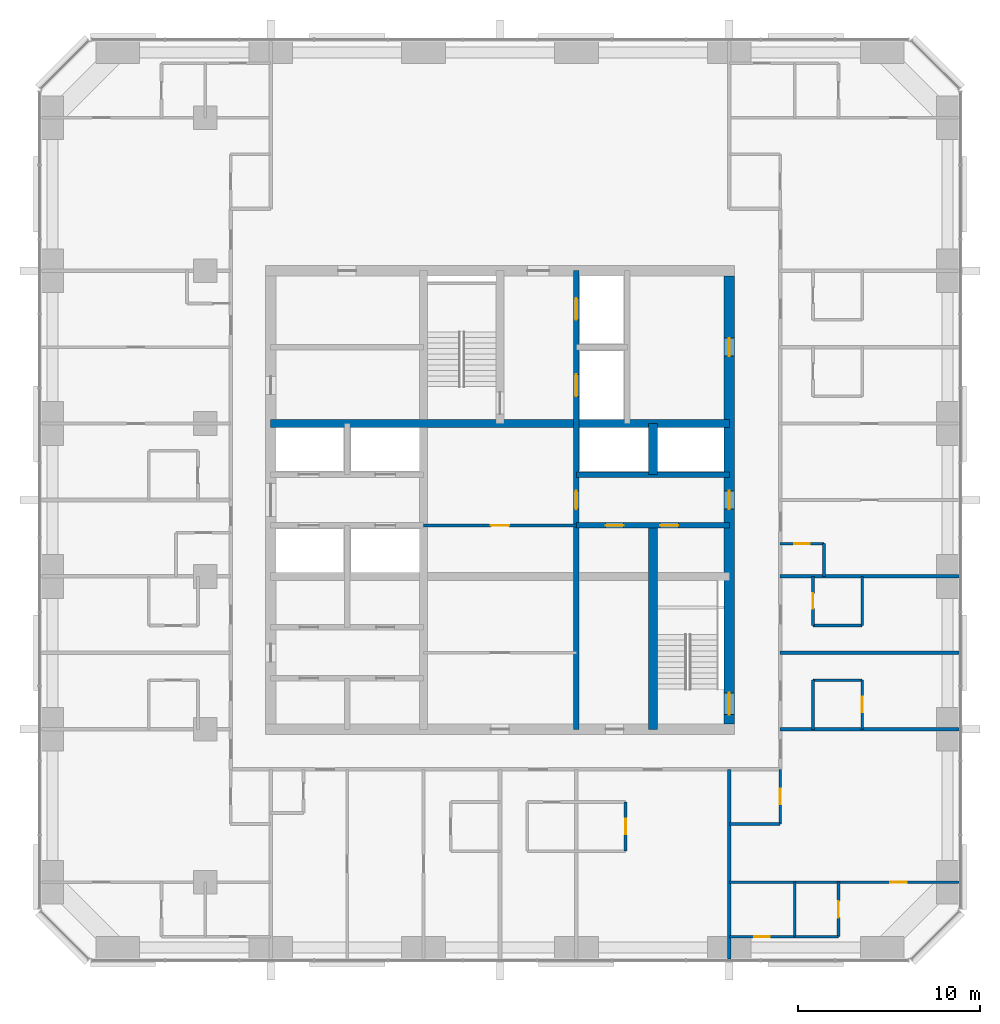
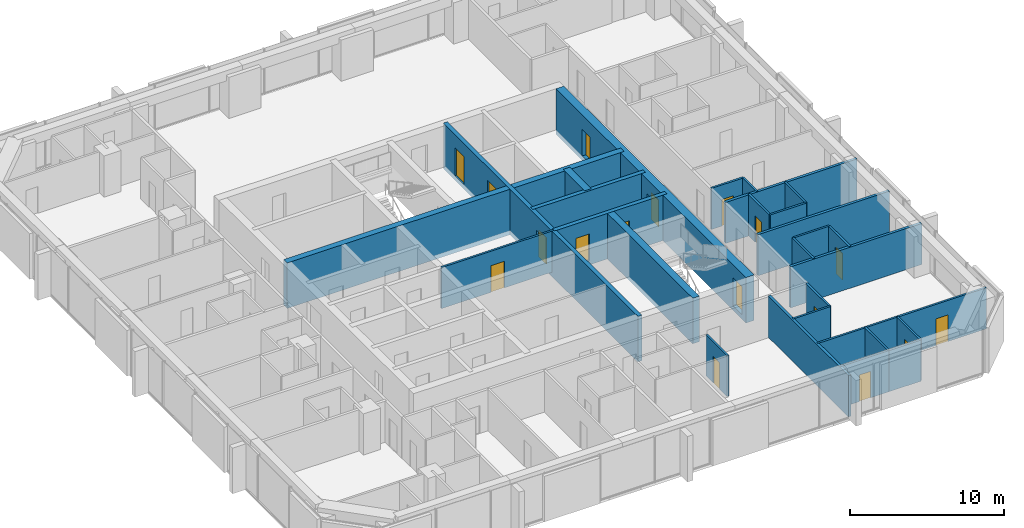
# One storey, part 10 of 13: 28 walls, 17 doors, 17 openings.
"""IFC4 building model written with IfcOpenShell, lengths in metres."""

from ifc_helpers import new_model, si_unit, direction, frame, frame_2d, origin, place, context, subcontext, project, spatial, rectangle, extrude, material, layer, layer_set, type_object, element, fill, save


model = new_model("IFC4")

# Units and contexts
model_context = context("Model", 3, precision=1e-05, world=origin(), true_north=direction((0.0, 1.0)))
body_context = subcontext(model_context, "Body", "Model", "MODEL_VIEW")
ifc_project = project(units=[si_unit("LENGTHUNIT", "METRE"), si_unit("AREAUNIT", "SQUARE_METRE"), si_unit("VOLUMEUNIT", "CUBIC_METRE"), si_unit("PLANEANGLEUNIT", "RADIAN"), si_unit("MASSUNIT", "GRAM", prefix="KILO")], contexts=[model_context])

# Site, building, storey
site_placement = place(None, origin())
site = spatial("IfcSite", under=ifc_project, at=site_placement, CompositionType="ELEMENT")
building_placement = place(site_placement, origin())
building = spatial("IfcBuilding", under=site, at=building_placement, Name="Dunama Terrace Hotel", CompositionType="ELEMENT")
storey_placement = place(building_placement, frame((0.0, 0.0, 209.39990234375)))
storey = spatial("IfcBuildingStorey", under=building, at=storey_placement, Name="L54", CompositionType="ELEMENT", Elevation=209.39990234375)

# Wall, opening, door
ifc_material_1 = material(Name="Gypsum board partition", Category="masonry")
ifc_layer_1 = layer(ifc_material_1, 0.14990234375)
ifc_layer_set_1 = layer_set([ifc_layer_1], Name="Bathroom partition 150")
wall_type_1 = type_object("IfcWallType", Name="Bathroom partition 150", PredefinedType="PARTITIONING", material=ifc_layer_set_1)
wall_1_placement = place(storey_placement, frame((36.300048828125, 10.10009765625, 0.0), z_axis=(0.0, 0.0, 1.0), x_axis=(0.0, 1.0, 0.0)))
wall_1 = element("IfcWall", 1, at=wall_1_placement, inside=storey, type_object=wall_type_1, Name="Bathroom partition 150 L54", PredefinedType="PARTITIONING", context=body_context, shape_type="SweptSolid", body=[
    extrude(rectangle(XDim=2.699951171875, YDim=0.14990234375, at=frame_2d((1.35009765625, 0.0))), origin(), (0.0, 0.0, 1.0), 3.25),
])
opening_1_placement = place(wall_1_placement, frame((0.925048828125, 0.0, 0.0)))
opening_1 = element("IfcOpeningElement", 2, at=opening_1_placement, cuts=wall_1, Name="Opening L53-54-017", PredefinedType="OPENING", context=body_context, shape_type="SweptSolid", body=[
    extrude(rectangle(XDim=0.85009765625, YDim=2.10009765625, at=frame_2d((0.425048828125, 1.050048828125))), frame((0.0, 0.0849609375, 0.0), z_axis=(0.0, -1.0, 0.0), x_axis=(1.0, 0.0, 0.0)), (0.0, 0.0, 1.0), 0.169921875),
])
ifc_material_2 = material(Name="Timber door with steel frame", Category="steel")
door_type_1 = type_object("IfcDoorType", Name="Bathroom door 850", OperationType="SINGLE_SWING_LEFT", PredefinedType="DOOR", material=ifc_material_2)
door_1_placement = place(opening_1_placement, origin())
door_1 = element("IfcDoor", 3, at=door_1_placement, inside=storey, type_object=door_type_1, Name="Door to en-suite bathroom L53-54-017, type D2", OperationType="SINGLE_SWING_LEFT", OverallHeight=2.10009765625, OverallWidth=0.85009765625, PredefinedType="DOOR", context=body_context, shape_type="SweptSolid", body=[
    extrude(rectangle(XDim=0.85009765625, YDim=2.10009765625, at=frame_2d((0.425048828125, 1.050048828125))), frame((0.0, 0.02490234375, 0.0), z_axis=(0.0, -1.0, 0.0), x_axis=(1.0, 0.0, 0.0)), (0.0, 0.0, 1.0), 0.050048828125),
])
fill(opening_1, door_1)

wall_2_placement = place(storey_placement, frame((44.800048828125, 11.60009765625, 0.0), z_axis=(0.0, 0.0, 1.0), x_axis=(0.0, 1.0, 0.0)))
wall_2 = element("IfcWall", 4, at=wall_2_placement, inside=storey, type_object=wall_type_1, Name="Bathroom partition 150 L54", PredefinedType="PARTITIONING", context=body_context, shape_type="SweptSolid", body=[
    extrude(rectangle(XDim=3.0, YDim=0.14990234375, at=frame_2d((1.5, 0.0))), origin(), (0.0, 0.0, 1.0), 3.25),
])
opening_2_placement = place(wall_2_placement, frame((1.074951171875, 0.0, 0.0)))
opening_2 = element("IfcOpeningElement", 5, at=opening_2_placement, cuts=wall_2, Name="Opening L53-54-046", PredefinedType="OPENING", context=body_context, shape_type="SweptSolid", body=[
    extrude(rectangle(XDim=0.85009765625, YDim=2.10009765625, at=frame_2d((0.425048828125, 1.050048828125))), frame((0.0, 0.0849609375, 0.0), z_axis=(0.0, -1.0, 0.0), x_axis=(1.0, 0.0, 0.0)), (0.0, 0.0, 1.0), 0.169921875),
])
door_2_placement = place(opening_2_placement, origin())
door_2 = element("IfcDoor", 6, at=door_2_placement, inside=storey, type_object=door_type_1, Name="Door to powder room L53-54-046, type D2", OperationType="SINGLE_SWING_RIGHT", OverallHeight=2.10009765625, OverallWidth=0.85009765625, PredefinedType="DOOR", context=body_context, shape_type="SweptSolid", body=[
    extrude(rectangle(XDim=0.85009765625, YDim=2.10009765625, at=frame_2d((0.425048828125, 1.050048828125))), frame((0.0, 0.02490234375, 0.0), z_axis=(0.0, -1.0, 0.0), x_axis=(1.0, 0.0, 0.0)), (0.0, 0.0, 1.0), 0.050048828125),
])
fill(opening_2, door_2)

# Wall
wall_3_placement = place(storey_placement, frame((46.60009765625, 16.800048828125, 0.0), z_axis=(0.0, 0.0, 1.0), x_axis=(0.0, 1.0, 0.0)))
element("IfcWall", 7, at=wall_3_placement, inside=storey, type_object=wall_type_1, Name="Bathroom partition 150 L54", PredefinedType="PARTITIONING", context=body_context, shape_type="SweptSolid", body=[
    extrude(rectangle(XDim=2.699951171875, YDim=0.14990234375, at=frame_2d((1.35009765625, 0.0))), origin(), (0.0, 0.0, 1.0), 3.25),
])

# Wall, opening, door
wall_4_placement = place(storey_placement, frame((46.60009765625, 22.5, 0.0), z_axis=(0.0, 0.0, 1.0), x_axis=(0.0, 1.0, 0.0)))
wall_4 = element("IfcWall", 8, at=wall_4_placement, inside=storey, type_object=wall_type_1, Name="Bathroom partition 150 L54", PredefinedType="PARTITIONING", context=body_context, shape_type="SweptSolid", body=[
    extrude(rectangle(XDim=2.699951171875, YDim=0.14990234375, at=frame_2d((1.35009765625, 0.0))), origin(), (0.0, 0.0, 1.0), 3.25),
])
opening_3_placement = place(wall_4_placement, frame((0.925048828125, 0.0, 0.0)))
opening_3 = element("IfcOpeningElement", 9, at=opening_3_placement, cuts=wall_4, Name="Opening L53-54-021", PredefinedType="OPENING", context=body_context, shape_type="SweptSolid", body=[
    extrude(rectangle(XDim=0.85009765625, YDim=2.10009765625, at=frame_2d((0.425048828125, 1.050048828125))), frame((0.0, 0.0849609375, 0.0), z_axis=(0.0, -1.0, 0.0), x_axis=(1.0, 0.0, 0.0)), (0.0, 0.0, 1.0), 0.169921875),
])
door_3_placement = place(opening_3_placement, frame((0.85009765625, 0.0, 0.0), z_axis=(0.0, 0.0, 1.0), x_axis=(-1.0, 0.0, 0.0)))
door_3 = element("IfcDoor", 10, at=door_3_placement, inside=storey, type_object=door_type_1, Name="Door to en-suite bathroom L53-54-021, type D2", OperationType="SINGLE_SWING_LEFT", OverallHeight=2.10009765625, OverallWidth=0.85009765625, PredefinedType="DOOR", context=body_context, shape_type="SweptSolid", body=[
    extrude(rectangle(XDim=0.85009765625, YDim=2.10009765625, at=frame_2d((0.425048828125, 1.050048828125))), frame((0.0, 0.025146484375, 0.0), z_axis=(0.0, -1.0, 0.0), x_axis=(1.0, 0.0, 0.0)), (0.0, 0.0, 1.0), 0.050048828125),
])
fill(opening_3, door_3)

# Wall
wall_5_placement = place(storey_placement, frame((47.199951171875, 25.199951171875, 0.0), z_axis=(0.0, 0.0, 1.0), x_axis=(0.0, 1.0, 0.0)))
element("IfcWall", 11, at=wall_5_placement, inside=storey, type_object=wall_type_1, Name="Bathroom partition 150 L54", PredefinedType="PARTITIONING", context=body_context, shape_type="SweptSolid", body=[
    extrude(rectangle(XDim=1.800048828125, YDim=0.14990234375, at=frame_2d((0.89990234375, 0.0))), origin(), (0.0, 0.0, 1.0), 3.25),
])

# Wall, opening, door
wall_6_placement = place(storey_placement, frame((49.300048828125, 16.800048828125, 0.0), z_axis=(0.0, 0.0, 1.0), x_axis=(0.0, 1.0, 0.0)))
wall_6 = element("IfcWall", 12, at=wall_6_placement, inside=storey, type_object=wall_type_1, Name="Bathroom partition 150 L54", PredefinedType="PARTITIONING", context=body_context, shape_type="SweptSolid", body=[
    extrude(rectangle(XDim=2.699951171875, YDim=0.14990234375, at=frame_2d((1.35009765625, 0.0))), origin(), (0.0, 0.0, 1.0), 3.25),
])
opening_4_placement = place(wall_6_placement, frame((0.925048828125, 0.0, 0.0)))
opening_4 = element("IfcOpeningElement", 13, at=opening_4_placement, cuts=wall_6, Name="Opening L53-54-019", PredefinedType="OPENING", context=body_context, shape_type="SweptSolid", body=[
    extrude(rectangle(XDim=0.85009765625, YDim=2.10009765625, at=frame_2d((0.425048828125, 1.050048828125))), frame((0.0, 0.0849609375, 0.0), z_axis=(0.0, -1.0, 0.0), x_axis=(1.0, 0.0, 0.0)), (0.0, 0.0, 1.0), 0.169921875),
])
door_4_placement = place(opening_4_placement, origin())
door_4 = element("IfcDoor", 14, at=door_4_placement, inside=storey, type_object=door_type_1, Name="Door to en-suite bathroom L53-54-019, type D2", OperationType="SINGLE_SWING_LEFT", OverallHeight=2.10009765625, OverallWidth=0.85009765625, PredefinedType="DOOR", context=body_context, shape_type="SweptSolid", body=[
    extrude(rectangle(XDim=0.85009765625, YDim=2.10009765625, at=frame_2d((0.425048828125, 1.050048828125))), frame((0.0, 0.02490234375, 0.0), z_axis=(0.0, -1.0, 0.0), x_axis=(1.0, 0.0, 0.0)), (0.0, 0.0, 1.0), 0.050048828125),
])
fill(opening_4, door_4)

# Wall
wall_7_placement = place(storey_placement, frame((49.300048828125, 22.5, 0.0), z_axis=(0.0, 0.0, 1.0), x_axis=(0.0, 1.0, 0.0)))
element("IfcWall", 15, at=wall_7_placement, inside=storey, type_object=wall_type_1, Name="Bathroom partition 150 L54", PredefinedType="PARTITIONING", context=body_context, shape_type="SweptSolid", body=[
    extrude(rectangle(XDim=2.699951171875, YDim=0.14990234375, at=frame_2d((1.35009765625, 0.0))), origin(), (0.0, 0.0, 1.0), 3.25),
])

# Wall, opening, door
wall_8_placement = place(storey_placement, frame((42.0, 5.39990234375, 0.0), z_axis=(0.0, 0.0, 1.0), x_axis=(1.0, 0.0, 0.0)))
wall_8 = element("IfcWall", 16, at=wall_8_placement, inside=storey, type_object=wall_type_1, Name="Bathroom partition 150 L54", PredefinedType="PARTITIONING", context=body_context, shape_type="SweptSolid", body=[
    extrude(rectangle(XDim=3.60009765625, YDim=0.14990234375, at=frame_2d((1.800048828125, 0.0))), origin(), (0.0, 0.0, 1.0), 3.25),
])
opening_5_placement = place(wall_8_placement, frame((1.375, 0.0, 0.0)))
opening_5 = element("IfcOpeningElement", 17, at=opening_5_placement, cuts=wall_8, Name="Opening L53-54-048", PredefinedType="OPENING", context=body_context, shape_type="SweptSolid", body=[
    extrude(rectangle(XDim=0.85009765625, YDim=2.10009765625, at=frame_2d((0.425048828125, 1.050048828125))), frame((0.0, 0.0849609375, 0.0), z_axis=(0.0, -1.0, 0.0), x_axis=(1.0, 0.0, 0.0)), (0.0, 0.0, 1.0), 0.169921875),
])
door_5_placement = place(opening_5_placement, origin())
door_5 = element("IfcDoor", 18, at=door_5_placement, inside=storey, type_object=door_type_1, Name="Door to en-suite bathroom L53-54-048, type D2", OperationType="SINGLE_SWING_LEFT", OverallHeight=2.10009765625, OverallWidth=0.85009765625, PredefinedType="DOOR", context=body_context, shape_type="SweptSolid", body=[
    extrude(rectangle(XDim=0.85009765625, YDim=2.10009765625, at=frame_2d((0.425048828125, 1.050048828125))), frame((0.0, 0.02490234375, 0.0), z_axis=(0.0, -1.0, 0.0), x_axis=(1.0, 0.0, 0.0)), (0.0, 0.0, 1.0), 0.050048828125),
])
fill(opening_5, door_5)

# Walls
wall_9_placement = place(storey_placement, frame((42.0, 11.60009765625, 0.0), z_axis=(0.0, 0.0, 1.0), x_axis=(1.0, 0.0, 0.0)))
element("IfcWall", 19, at=wall_9_placement, inside=storey, type_object=wall_type_1, Name="Bathroom partition 150 L54", PredefinedType="PARTITIONING", context=body_context, shape_type="SweptSolid", body=[
    extrude(rectangle(XDim=2.800048828125, YDim=0.14990234375, at=frame_2d((1.39990234375, 0.0))), origin(), (0.0, 0.0, 1.0), 3.25),
])
for number, where, z_axis, x_axis, name in (
    (20, (46.60009765625, 19.5, 0.0), (0.0, 0.0, 1.0), (1.0, 0.0, 0.0), "Bathroom partition 150 L54"),
    (21, (46.60009765625, 22.5, 0.0), (0.0, 0.0, 1.0), (1.0, 0.0, 0.0), "Bathroom partition 150 L54"),
):
    element("IfcWall", number, at=place(storey_placement, frame(where, z_axis=z_axis, x_axis=x_axis)), inside=storey, type_object=wall_type_1, Name=name, PredefinedType="PARTITIONING", context=body_context, shape_type="SweptSolid", body=[
        extrude(rectangle(XDim=2.699951171875, YDim=0.14990234375, at=frame_2d((1.35009765625, 0.0))), origin(), (0.0, 0.0, 1.0), 3.25),
    ])

# Wall, opening, door
wall_10_placement = place(storey_placement, frame((44.800048828125, 27.0, 0.0), z_axis=(0.0, 0.0, 1.0), x_axis=(1.0, 0.0, 0.0)))
wall_10 = element("IfcWall", 22, at=wall_10_placement, inside=storey, type_object=wall_type_1, Name="Bathroom partition 150 L54", PredefinedType="PARTITIONING", context=body_context, shape_type="SweptSolid", body=[
    extrude(rectangle(XDim=2.39990234375, YDim=0.14990234375, at=frame_2d((1.199951171875, 0.0))), origin(), (0.0, 0.0, 1.0), 3.25),
])
opening_6_placement = place(wall_10_placement, frame((0.77490234375, 0.0, 0.0)))
opening_6 = element("IfcOpeningElement", 23, at=opening_6_placement, cuts=wall_10, Name="Opening L53-54-023", PredefinedType="OPENING", context=body_context, shape_type="SweptSolid", body=[
    extrude(rectangle(XDim=0.85009765625, YDim=2.10009765625, at=frame_2d((0.425048828125, 1.050048828125))), frame((0.0, 0.0849609375, 0.0), z_axis=(0.0, -1.0, 0.0), x_axis=(1.0, 0.0, 0.0)), (0.0, 0.0, 1.0), 0.169921875),
])
door_6_placement = place(opening_6_placement, frame((0.85009765625, 0.0, 0.0), z_axis=(0.0, 0.0, 1.0), x_axis=(-1.0, 0.0, 0.0)))
door_6 = element("IfcDoor", 24, at=door_6_placement, inside=storey, type_object=door_type_1, Name="Door to powder room L53-54-023, type D2", OperationType="SINGLE_SWING_RIGHT", OverallHeight=2.10009765625, OverallWidth=0.85009765625, PredefinedType="DOOR", context=body_context, shape_type="SweptSolid", body=[
    extrude(rectangle(XDim=0.85009765625, YDim=2.10009765625, at=frame_2d((0.425048828125, 1.050048828125))), frame((0.0, 0.025146484375, 0.0), z_axis=(0.0, -1.0, 0.0), x_axis=(1.0, 0.0, 0.0)), (0.0, 0.0, 1.0), 0.050048828125),
])
fill(opening_6, door_6)

# Wall, openings, doors
ifc_material_3 = material(Name="Concrete C50/60", Category="concrete")
ifc_layer_2 = layer(ifc_material_3, 0.300048828125)
ifc_layer_set_2 = layer_set([ifc_layer_2], Name="Core inner wall 300")
wall_type_2 = type_object("IfcWallType", Name="Core inner wall 300", PredefinedType="SHEAR", material=ifc_layer_set_2)
wall_11_placement = place(storey_placement, frame((33.60009765625, 16.800048828125, -0.349853515625), z_axis=(0.0, 0.0, 1.0), x_axis=(0.0, 1.0, 0.0)))
wall_11 = element("IfcWall", 25, at=wall_11_placement, inside=storey, type_object=wall_type_2, Name="Core inner wall 300 L54", PredefinedType="SHEAR", context=body_context, shape_type="SweptSolid", body=[
    extrude(rectangle(XDim=25.199951171875, YDim=0.300048828125, at=frame_2d((12.60009765625, 0.0))), origin(), (0.0, 0.0, 1.0), 3.599853515625),
])
opening_7_placement = place(wall_11_placement, frame((22.5, 0.0, 0.35009765625)))
opening_7 = element("IfcOpeningElement", 26, at=opening_7_placement, cuts=wall_11, Name="Opening L53-54-007", PredefinedType="OPENING", context=body_context, shape_type="SweptSolid", body=[
    extrude(rectangle(XDim=1.199951171875, YDim=2.199951171875, at=frame_2d((0.60009765625, 1.10009765625))), frame((0.0, 0.159912109375, 0.0), z_axis=(0.0, -1.0, 0.0), x_axis=(1.0, 0.0, 0.0)), (0.0, 0.0, 1.0), 0.320068359375),
])
opening_8_placement = place(wall_11_placement, frame((18.300048828125, 0.0, 0.35009765625)))
opening_8 = element("IfcOpeningElement", 27, at=opening_8_placement, cuts=wall_11, Name="Opening L53-54-008", PredefinedType="OPENING", context=body_context, shape_type="SweptSolid", body=[
    extrude(rectangle(XDim=1.199951171875, YDim=2.199951171875, at=frame_2d((0.60009765625, 1.10009765625))), frame((0.0, 0.159912109375, 0.0), z_axis=(0.0, -1.0, 0.0), x_axis=(1.0, 0.0, 0.0)), (0.0, 0.0, 1.0), 0.320068359375),
])
opening_9_placement = place(wall_11_placement, frame((12.10009765625, 0.0, 0.35009765625)))
opening_9 = element("IfcOpeningElement", 28, at=opening_9_placement, cuts=wall_11, Name="Opening L53-54-068", PredefinedType="OPENING", context=body_context, shape_type="SweptSolid", body=[
    extrude(rectangle(XDim=1.0, YDim=2.10009765625, at=frame_2d((0.5, 1.050048828125))), frame((0.0, 0.159912109375, 0.0), z_axis=(0.0, -1.0, 0.0), x_axis=(1.0, 0.0, 0.0)), (0.0, 0.0, 1.0), 0.320068359375),
])
ifc_material_4 = material(Name="Stainless steel lift door", Category="steel")
door_type_2 = type_object("IfcDoorType", Name="Firefighting lift landing door 1200", OperationType="DOUBLE_DOOR_SLIDING", PredefinedType="DOOR", material=ifc_material_4)
door_7_placement = place(opening_7_placement, origin())
door_7 = element("IfcDoor", 29, at=door_7_placement, inside=storey, type_object=door_type_2, Name="Landing door FL1 L53-54-007, type LD2", OperationType="DOUBLE_DOOR_SLIDING", OverallHeight=2.199951171875, OverallWidth=1.199951171875, PredefinedType="DOOR", context=body_context, shape_type="SweptSolid", body=[
    extrude(rectangle(XDim=1.199951171875, YDim=2.199951171875, at=frame_2d((0.60009765625, 1.10009765625))), frame((0.0, 0.02490234375, 0.0), z_axis=(0.0, -1.0, 0.0), x_axis=(1.0, 0.0, 0.0)), (0.0, 0.0, 1.0), 0.050048828125),
])
fill(opening_7, door_7)
door_8_placement = place(opening_8_placement, origin())
door_8 = element("IfcDoor", 30, at=door_8_placement, inside=storey, type_object=door_type_2, Name="Landing door FL2 L53-54-008, type LD2", OperationType="DOUBLE_DOOR_SLIDING", OverallHeight=2.199951171875, OverallWidth=1.199951171875, PredefinedType="DOOR", context=body_context, shape_type="SweptSolid", body=[
    extrude(rectangle(XDim=1.199951171875, YDim=2.199951171875, at=frame_2d((0.60009765625, 1.10009765625))), frame((0.0, 0.02490234375, 0.0), z_axis=(0.0, -1.0, 0.0), x_axis=(1.0, 0.0, 0.0)), (0.0, 0.0, 1.0), 0.050048828125),
])
fill(opening_8, door_8)
ifc_material_5 = material(Name="Timber door with steel frame", Category="steel")
door_type_3 = type_object("IfcDoorType", Name="Service door 1000", OperationType="SINGLE_SWING_LEFT", PredefinedType="DOOR", material=ifc_material_5)
door_9_placement = place(opening_9_placement, origin())
door_9 = element("IfcDoor", 31, at=door_9_placement, inside=storey, type_object=door_type_3, Name="Door to guest amenities store L53-54-068, type D7", OperationType="SINGLE_SWING_LEFT", OverallHeight=2.10009765625, OverallWidth=1.0, PredefinedType="DOOR", context=body_context, shape_type="SweptSolid", body=[
    extrude(rectangle(XDim=1.0, YDim=2.10009765625, at=frame_2d((0.5, 1.050048828125))), frame((0.0, 0.02490234375, 0.0), z_axis=(0.0, -1.0, 0.0), x_axis=(1.0, 0.0, 0.0)), (0.0, 0.0, 1.0), 0.050048828125),
])
fill(opening_9, door_9)

wall_12_placement = place(storey_placement, frame((33.60009765625, 28.0, -0.349853515625), z_axis=(0.0, 0.0, 1.0), x_axis=(1.0, 0.0, 0.0)))
wall_12 = element("IfcWall", 32, at=wall_12_placement, inside=storey, type_object=wall_type_2, Name="Core inner wall 300 L54", PredefinedType="SHEAR", context=body_context, shape_type="SweptSolid", body=[
    extrude(rectangle(XDim=8.39990234375, YDim=0.300048828125, at=frame_2d((4.199951171875, 0.0))), origin(), (0.0, 0.0, 1.0), 3.599853515625),
])
opening_10_placement = place(wall_12_placement, frame((1.60009765625, 0.0, 0.35009765625)))
opening_10 = element("IfcOpeningElement", 33, at=opening_10_placement, cuts=wall_12, Name="Opening L53-54-070", PredefinedType="OPENING", context=body_context, shape_type="SweptSolid", body=[
    extrude(rectangle(XDim=1.0, YDim=2.10009765625, at=frame_2d((0.5, 1.050048828125))), frame((0.0, 0.159912109375, 0.0), z_axis=(0.0, -1.0, 0.0), x_axis=(1.0, 0.0, 0.0)), (0.0, 0.0, 1.0), 0.320068359375),
])
opening_11_placement = place(wall_12_placement, frame((4.60009765625, 0.0, 0.35009765625)))
opening_11 = element("IfcOpeningElement", 34, at=opening_11_placement, cuts=wall_12, Name="Opening L53-54-071", PredefinedType="OPENING", context=body_context, shape_type="SweptSolid", body=[
    extrude(rectangle(XDim=1.0, YDim=2.10009765625, at=frame_2d((0.5, 1.050048828125))), frame((0.0, 0.159912109375, 0.0), z_axis=(0.0, -1.0, 0.0), x_axis=(1.0, 0.0, 0.0)), (0.0, 0.0, 1.0), 0.320068359375),
])
door_10_placement = place(opening_10_placement, frame((1.0, 0.0, 0.0), z_axis=(0.0, 0.0, 1.0), x_axis=(-1.0, 0.0, 0.0)))
door_10 = element("IfcDoor", 35, at=door_10_placement, inside=storey, type_object=door_type_3, Name="Door to service riser L53-54-070, type D7", OperationType="SINGLE_SWING_LEFT", OverallHeight=2.10009765625, OverallWidth=1.0, PredefinedType="DOOR", context=body_context, shape_type="SweptSolid", body=[
    extrude(rectangle(XDim=1.0, YDim=2.10009765625, at=frame_2d((0.5, 1.050048828125))), frame((0.0, 0.025146484375, 0.0), z_axis=(0.0, -1.0, 0.0), x_axis=(1.0, 0.0, 0.0)), (0.0, 0.0, 1.0), 0.050048828125),
])
fill(opening_10, door_10)
door_11_placement = place(opening_11_placement, frame((1.0, 0.0, 0.0), z_axis=(0.0, 0.0, 1.0), x_axis=(-1.0, 0.0, 0.0)))
door_11 = element("IfcDoor", 36, at=door_11_placement, inside=storey, type_object=door_type_3, Name="Door to cleaners store L53-54-071, type D7", OperationType="SINGLE_SWING_RIGHT", OverallHeight=2.10009765625, OverallWidth=1.0, PredefinedType="DOOR", context=body_context, shape_type="SweptSolid", body=[
    extrude(rectangle(XDim=1.0, YDim=2.10009765625, at=frame_2d((0.5, 1.050048828125))), frame((0.0, 0.025146484375, 0.0), z_axis=(0.0, -1.0, 0.0), x_axis=(1.0, 0.0, 0.0)), (0.0, 0.0, 1.0), 0.050048828125),
])
fill(opening_11, door_11)

# Walls
wall_13_placement = place(storey_placement, frame((33.60009765625, 30.800048828125, -0.349853515625), z_axis=(0.0, 0.0, 1.0), x_axis=(1.0, 0.0, 0.0)))
element("IfcWall", 37, at=wall_13_placement, inside=storey, type_object=wall_type_2, Name="Core inner wall 300 L54", PredefinedType="SHEAR", context=body_context, shape_type="SweptSolid", body=[
    extrude(rectangle(XDim=8.39990234375, YDim=0.300048828125, at=frame_2d((4.199951171875, 0.0))), origin(), (0.0, 0.0, 1.0), 3.599853515625),
])
ifc_material_6 = material(Name="Concrete C50/60", Category="concrete")
ifc_layer_3 = layer(ifc_material_6, 0.449951171875)
ifc_layer_set_3 = layer_set([ifc_layer_3], Name="Core inner wall 450")
wall_type_3 = type_object("IfcWallType", Name="Core inner wall 450", PredefinedType="SHEAR", material=ifc_layer_set_3)
wall_14_placement = place(storey_placement, frame((16.800048828125, 33.60009765625, -0.349853515625), z_axis=(0.0, 0.0, 1.0), x_axis=(1.0, 0.0, 0.0)))
element("IfcWall", 38, at=wall_14_placement, inside=storey, type_object=wall_type_3, Name="Core inner wall 450 L54", PredefinedType="SHEAR", context=body_context, shape_type="SweptSolid", body=[
    extrude(rectangle(XDim=25.199951171875, YDim=0.449951171875, at=frame_2d((12.60009765625, 0.0))), origin(), (0.0, 0.0, 1.0), 3.599853515625),
])
ifc_material_7 = material(Name="Concrete C50/60", Category="concrete")
ifc_layer_4 = layer(ifc_material_7, 0.5)
ifc_layer_set_4 = layer_set([ifc_layer_4], Name="Core inner wall 500")
wall_type_4 = type_object("IfcWallType", Name="Core inner wall 500", PredefinedType="SHEAR", material=ifc_layer_set_4)
wall_15_placement = place(storey_placement, frame((37.800048828125, 16.800048828125, -0.349853515625), z_axis=(0.0, 0.0, 1.0), x_axis=(0.0, 1.0, 0.0)))
element("IfcWall", 39, at=wall_15_placement, inside=storey, type_object=wall_type_4, Name="Core inner wall 500 L54", PredefinedType="SHEAR", context=body_context, shape_type="SweptSolid", body=[
    extrude(rectangle(XDim=11.199951171875, YDim=0.5, at=frame_2d((5.60009765625, 0.0))), origin(), (0.0, 0.0, 1.0), 3.599853515625),
])
wall_16_placement = place(storey_placement, frame((37.800048828125, 30.800048828125, -0.349853515625), z_axis=(0.0, 0.0, 1.0), x_axis=(0.0, 1.0, 0.0)))
element("IfcWall", 40, at=wall_16_placement, inside=storey, type_object=wall_type_4, Name="Core inner wall 500 L54", PredefinedType="SHEAR", context=body_context, shape_type="SweptSolid", body=[
    extrude(rectangle(XDim=2.800048828125, YDim=0.5, at=frame_2d((1.39990234375, 0.0))), origin(), (0.0, 0.0, 1.0), 3.599853515625),
])

# Wall, openings, doors
ifc_material_8 = material(Name="Concrete C50/60", Category="concrete")
ifc_layer_5 = layer(ifc_material_8, 0.60009765625)
ifc_layer_set_5 = layer_set([ifc_layer_5], Name="Core wall 600")
wall_type_5 = type_object("IfcWallType", Name="Core wall 600", PredefinedType="SHEAR", material=ifc_layer_set_5)
wall_17_placement = place(storey_placement, frame((42.0, 17.10009765625, -0.349853515625), z_axis=(0.0, 0.0, 1.0), x_axis=(0.0, 1.0, 0.0)))
wall_17 = element("IfcWall", 41, at=wall_17_placement, inside=storey, type_object=wall_type_5, Name="Core wall east L54", PredefinedType="SHEAR", context=body_context, shape_type="SweptSolid", body=[
    extrude(rectangle(XDim=24.599853515625, YDim=0.60009765625, at=frame_2d((12.2998046875, 0.0))), origin(), (0.0, 0.0, 1.0), 3.599853515625),
])
opening_12_placement = place(wall_17_placement, frame((0.5, 0.0, 0.35009765625)))
opening_12 = element("IfcOpeningElement", 42, at=opening_12_placement, cuts=wall_17, Name="Opening L53-54-002", PredefinedType="OPENING", context=body_context, shape_type="SweptSolid", body=[
    extrude(rectangle(XDim=1.199951171875, YDim=2.199951171875, at=frame_2d((0.60009765625, 1.10009765625))), frame((0.0, 0.31005859375, 0.0), z_axis=(0.0, -1.0, 0.0), x_axis=(1.0, 0.0, 0.0)), (0.0, 0.0, 1.0), 0.6201171875),
])
opening_13_placement = place(wall_17_placement, frame((11.800048828125, 0.0, 0.35009765625)))
opening_13 = element("IfcOpeningElement", 43, at=opening_13_placement, cuts=wall_17, Name="Opening L53-54-072", PredefinedType="OPENING", context=body_context, shape_type="SweptSolid", body=[
    extrude(rectangle(XDim=1.0, YDim=2.10009765625, at=frame_2d((0.5, 1.050048828125))), frame((0.0, 0.31005859375, 0.0), z_axis=(0.0, -1.0, 0.0), x_axis=(1.0, 0.0, 0.0)), (0.0, 0.0, 1.0), 0.6201171875),
])
opening_14_placement = place(wall_17_placement, frame((20.199951171875, 0.0, 0.35009765625)))
opening_14 = element("IfcOpeningElement", 44, at=opening_14_placement, cuts=wall_17, Name="Opening L53-54-074", PredefinedType="OPENING", context=body_context, shape_type="SweptSolid", body=[
    extrude(rectangle(XDim=1.0, YDim=2.10009765625, at=frame_2d((0.5, 1.050048828125))), frame((0.0, 0.31005859375, 0.0), z_axis=(0.0, -1.0, 0.0), x_axis=(1.0, 0.0, 0.0)), (0.0, 0.0, 1.0), 0.6201171875),
])
door_12_placement = place(opening_13_placement, origin())
door_12 = element("IfcDoor", 45, at=door_12_placement, inside=storey, type_object=door_type_3, Name="Door to service lobby L53-54-072, type D7", OperationType="SINGLE_SWING_RIGHT", OverallHeight=2.10009765625, OverallWidth=1.0, PredefinedType="DOOR", context=body_context, shape_type="SweptSolid", body=[
    extrude(rectangle(XDim=1.0, YDim=2.10009765625, at=frame_2d((0.5, 1.050048828125))), frame((0.0, 0.02490234375, 0.0), z_axis=(0.0, -1.0, 0.0), x_axis=(1.0, 0.0, 0.0)), (0.0, 0.0, 1.0), 0.050048828125),
])
fill(opening_13, door_12)
door_13_placement = place(opening_14_placement, origin())
door_13 = element("IfcDoor", 46, at=door_13_placement, inside=storey, type_object=door_type_3, Name="Door to ice and vending room L53-54-074, type D7", OperationType="SINGLE_SWING_LEFT", OverallHeight=2.10009765625, OverallWidth=1.0, PredefinedType="DOOR", context=body_context, shape_type="SweptSolid", body=[
    extrude(rectangle(XDim=1.0, YDim=2.10009765625, at=frame_2d((0.5, 1.050048828125))), frame((0.0, 0.02490234375, 0.0), z_axis=(0.0, -1.0, 0.0), x_axis=(1.0, 0.0, 0.0)), (0.0, 0.0, 1.0), 0.050048828125),
])
fill(opening_14, door_13)
ifc_material_9 = material(Name="Timber door with steel frame", Category="steel")
door_type_4 = type_object("IfcDoorType", Name="Stair door 1200", OperationType="SINGLE_SWING_LEFT", PredefinedType="DOOR", material=ifc_material_9)
door_14_placement = place(opening_12_placement, origin())
door_14 = element("IfcDoor", 47, at=door_14_placement, inside=storey, type_object=door_type_4, Name="Stair door ST2 L53-54-002, type D5", OperationType="SINGLE_SWING_LEFT", OverallHeight=2.199951171875, OverallWidth=1.199951171875, PredefinedType="DOOR", context=body_context, shape_type="SweptSolid", body=[
    extrude(rectangle(XDim=1.199951171875, YDim=2.199951171875, at=frame_2d((0.60009765625, 1.10009765625))), frame((0.0, 0.02490234375, 0.0), z_axis=(0.0, -1.0, 0.0), x_axis=(1.0, 0.0, 0.0)), (0.0, 0.0, 1.0), 0.050048828125),
])
fill(opening_12, door_14)

# Walls
ifc_material_10 = material(Name="Concrete blockwork", Category="masonry")
ifc_layer_6 = layer(ifc_material_10, 0.199951171875)
ifc_layer_set_6 = layer_set([ifc_layer_6], Name="Party wall 200")
wall_type_6 = type_object("IfcWallType", Name="Party wall 200", PredefinedType="PARTITIONING", material=ifc_layer_set_6)
wall_18_placement = place(storey_placement, frame((42.0, 4.181884765625, 0.0), z_axis=(0.0, 0.0, 1.0), x_axis=(0.0, 1.0, 0.0)))
element("IfcWall", 48, at=wall_18_placement, inside=storey, type_object=wall_type_6, Name="Party wall 200 L54", PredefinedType="PARTITIONING", context=body_context, shape_type="SweptSolid", body=[
    extrude(rectangle(XDim=10.418212890625, YDim=0.199951171875, at=frame_2d((5.208984375, 0.0))), origin(), (0.0, 0.0, 1.0), 3.25),
])
for number, where, z_axis, x_axis, name in (
    (49, (44.800048828125, 16.800048828125, 0.0), (0.0, 0.0, 1.0), (1.0, 0.0, 0.0), "Party wall 200 L54"),
    (50, (44.800048828125, 21.0, 0.0), (0.0, 0.0, 1.0), (1.0, 0.0, 0.0), "Party wall 200 L54"),
    (51, (44.800048828125, 25.199951171875, 0.0), (0.0, 0.0, 1.0), (1.0, 0.0, 0.0), "Party wall 200 L54"),
):
    element("IfcWall", number, at=place(storey_placement, frame(where, z_axis=z_axis, x_axis=x_axis)), inside=storey, type_object=wall_type_6, Name=name, PredefinedType="PARTITIONING", context=body_context, shape_type="SweptSolid", body=[
        extrude(rectangle(XDim=9.81787109375, YDim=0.199951171875, at=frame_2d((4.908935546875, 0.0))), origin(), (0.0, 0.0, 1.0), 3.25),
    ])
ifc_material_11 = material(Name="Gypsum board partition", Category="masonry")
ifc_layer_7 = layer(ifc_material_11, 0.14990234375)
ifc_layer_set_7 = layer_set([ifc_layer_7], Name="Room partition 150")
wall_type_7 = type_object("IfcWallType", Name="Room partition 150", PredefinedType="PARTITIONING", material=ifc_layer_set_7)
wall_19_placement = place(storey_placement, frame((45.60009765625, 5.39990234375, 0.0), z_axis=(0.0, 0.0, 1.0), x_axis=(0.0, 1.0, 0.0)))
element("IfcWall", 52, at=wall_19_placement, inside=storey, type_object=wall_type_7, Name="Room partition 150 L54", PredefinedType="PARTITIONING", context=body_context, shape_type="SweptSolid", body=[
    extrude(rectangle(XDim=3.0, YDim=0.14990234375, at=frame_2d((1.5, 0.0))), origin(), (0.0, 0.0, 1.0), 3.25),
])

# Wall, opening, door
wall_20_placement = place(storey_placement, frame((48.0, 5.39990234375, 0.0), z_axis=(0.0, 0.0, 1.0), x_axis=(0.0, 1.0, 0.0)))
wall_20 = element("IfcWall", 53, at=wall_20_placement, inside=storey, type_object=wall_type_7, Name="Room partition 150 L54", PredefinedType="PARTITIONING", context=body_context, shape_type="SweptSolid", body=[
    extrude(rectangle(XDim=3.0, YDim=0.14990234375, at=frame_2d((1.5, 0.0))), origin(), (0.0, 0.0, 1.0), 3.25),
])
opening_15_placement = place(wall_20_placement, frame((1.050048828125, 0.0, 0.0)))
opening_15 = element("IfcOpeningElement", 54, at=opening_15_placement, cuts=wall_20, Name="Opening L53-54-049", PredefinedType="OPENING", context=body_context, shape_type="SweptSolid", body=[
    extrude(rectangle(XDim=0.89990234375, YDim=2.10009765625, at=frame_2d((0.449951171875, 1.050048828125))), frame((0.0, 0.0849609375, 0.0), z_axis=(0.0, -1.0, 0.0), x_axis=(1.0, 0.0, 0.0)), (0.0, 0.0, 1.0), 0.169921875),
])
ifc_material_12 = material(Name="Timber door with steel frame", Category="steel")
door_type_5 = type_object("IfcDoorType", Name="Suite internal door 900", OperationType="SINGLE_SWING_LEFT", PredefinedType="DOOR", material=ifc_material_12)
door_15_placement = place(opening_15_placement, origin())
door_15 = element("IfcDoor", 55, at=door_15_placement, inside=storey, type_object=door_type_5, Name="Door to dressing room L53-54-049, type D16", OperationType="SINGLE_SWING_LEFT", OverallHeight=2.10009765625, OverallWidth=0.89990234375, PredefinedType="DOOR", context=body_context, shape_type="SweptSolid", body=[
    extrude(rectangle(XDim=0.89990234375, YDim=2.10009765625, at=frame_2d((0.449951171875, 1.050048828125))), frame((0.0, 0.02490234375, 0.0), z_axis=(0.0, -1.0, 0.0), x_axis=(1.0, 0.0, 0.0)), (0.0, 0.0, 1.0), 0.050048828125),
])
fill(opening_15, door_15)

# Wall
wall_21_placement = place(storey_placement, frame((45.60009765625, 5.39990234375, 0.0), z_axis=(0.0, 0.0, 1.0), x_axis=(1.0, 0.0, 0.0)))
element("IfcWall", 56, at=wall_21_placement, inside=storey, type_object=wall_type_7, Name="Room partition 150 L54", PredefinedType="PARTITIONING", context=body_context, shape_type="SweptSolid", body=[
    extrude(rectangle(XDim=2.39990234375, YDim=0.14990234375, at=frame_2d((1.199951171875, 0.0))), origin(), (0.0, 0.0, 1.0), 3.25),
])

# Wall, opening, door
wall_22_placement = place(storey_placement, frame((42.0, 8.39990234375, 0.0), z_axis=(0.0, 0.0, 1.0), x_axis=(1.0, 0.0, 0.0)))
wall_22 = element("IfcWall", 57, at=wall_22_placement, inside=storey, type_object=wall_type_7, Name="Room partition 150 L54", PredefinedType="PARTITIONING", context=body_context, shape_type="SweptSolid", body=[
    extrude(rectangle(XDim=12.617919921875, YDim=0.14990234375, at=frame_2d((6.30908203125, 0.0))), origin(), (0.0, 0.0, 1.0), 3.25),
])
opening_16_placement = place(wall_22_placement, frame((8.85009765625, 0.0, 0.0)))
opening_16 = element("IfcOpeningElement", 58, at=opening_16_placement, cuts=wall_22, Name="Opening L53-54-047", PredefinedType="OPENING", context=body_context, shape_type="SweptSolid", body=[
    extrude(rectangle(XDim=0.89990234375, YDim=2.10009765625, at=frame_2d((0.449951171875, 1.050048828125))), frame((0.0, 0.0849609375, 0.0), z_axis=(0.0, -1.0, 0.0), x_axis=(1.0, 0.0, 0.0)), (0.0, 0.0, 1.0), 0.169921875),
])
door_16_placement = place(opening_16_placement, frame((0.89990234375, 0.0, 0.0), z_axis=(0.0, 0.0, 1.0), x_axis=(-1.0, 0.0, 0.0)))
door_16 = element("IfcDoor", 59, at=door_16_placement, inside=storey, type_object=door_type_5, Name="Door to corner suite bedroom L53-54-047, type D16", OperationType="SINGLE_SWING_LEFT", OverallHeight=2.10009765625, OverallWidth=0.89990234375, PredefinedType="DOOR", context=body_context, shape_type="SweptSolid", body=[
    extrude(rectangle(XDim=0.89990234375, YDim=2.10009765625, at=frame_2d((0.449951171875, 1.050048828125))), frame((0.0, 0.025146484375, 0.0), z_axis=(0.0, -1.0, 0.0), x_axis=(1.0, 0.0, 0.0)), (0.0, 0.0, 1.0), 0.050048828125),
])
fill(opening_16, door_16)

wall_23_placement = place(storey_placement, frame((25.199951171875, 28.0, 0.0), z_axis=(0.0, 0.0, 1.0), x_axis=(1.0, 0.0, 0.0)))
wall_23 = element("IfcWall", 60, at=wall_23_placement, inside=storey, type_object=wall_type_7, Name="Room partition 150 L54", PredefinedType="PARTITIONING", context=body_context, shape_type="SweptSolid", body=[
    extrude(rectangle(XDim=8.400146484375, YDim=0.14990234375, at=frame_2d((4.2001953125, 0.0))), origin(), (0.0, 0.0, 1.0), 3.25),
])
opening_17_placement = place(wall_23_placement, frame((3.699951171875, 0.0, 0.0)))
opening_17 = element("IfcOpeningElement", 61, at=opening_17_placement, cuts=wall_23, Name="Opening L53-54-069", PredefinedType="OPENING", context=body_context, shape_type="SweptSolid", body=[
    extrude(rectangle(XDim=1.0, YDim=2.10009765625, at=frame_2d((0.5, 1.050048828125))), frame((0.0, 0.0849609375, 0.0), z_axis=(0.0, -1.0, 0.0), x_axis=(1.0, 0.0, 0.0)), (0.0, 0.0, 1.0), 0.169921875),
])
door_17_placement = place(opening_17_placement, frame((1.0, 0.0, 0.0), z_axis=(0.0, 0.0, 1.0), x_axis=(-1.0, 0.0, 0.0)))
door_17 = element("IfcDoor", 62, at=door_17_placement, inside=storey, type_object=door_type_3, Name="Door to luggage store L53-54-069, type D7", OperationType="SINGLE_SWING_RIGHT", OverallHeight=2.10009765625, OverallWidth=1.0, PredefinedType="DOOR", context=body_context, shape_type="SweptSolid", body=[
    extrude(rectangle(XDim=1.0, YDim=2.10009765625, at=frame_2d((0.5, 1.050048828125))), frame((0.0, 0.025146484375, 0.0), z_axis=(0.0, -1.0, 0.0), x_axis=(1.0, 0.0, 0.0)), (0.0, 0.0, 1.0), 0.050048828125),
])
fill(opening_17, door_17)

save(model, "model.ifc")
